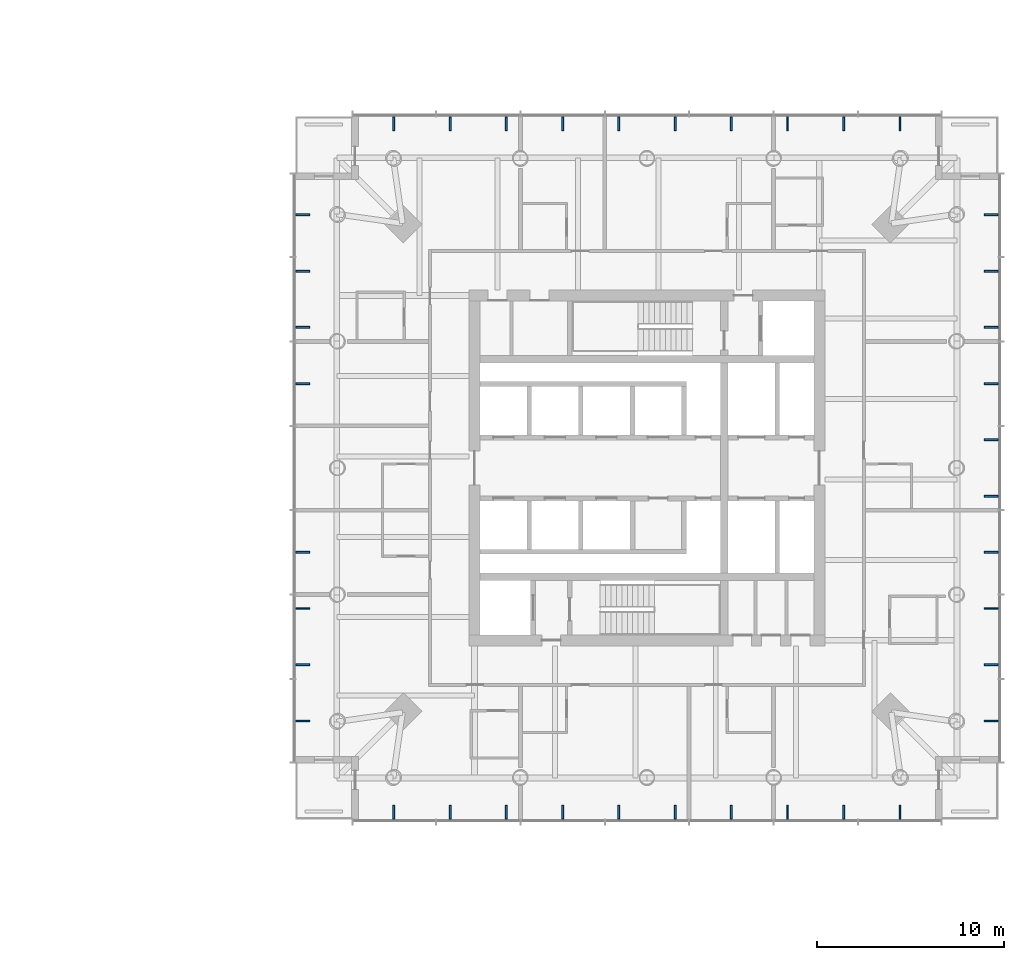
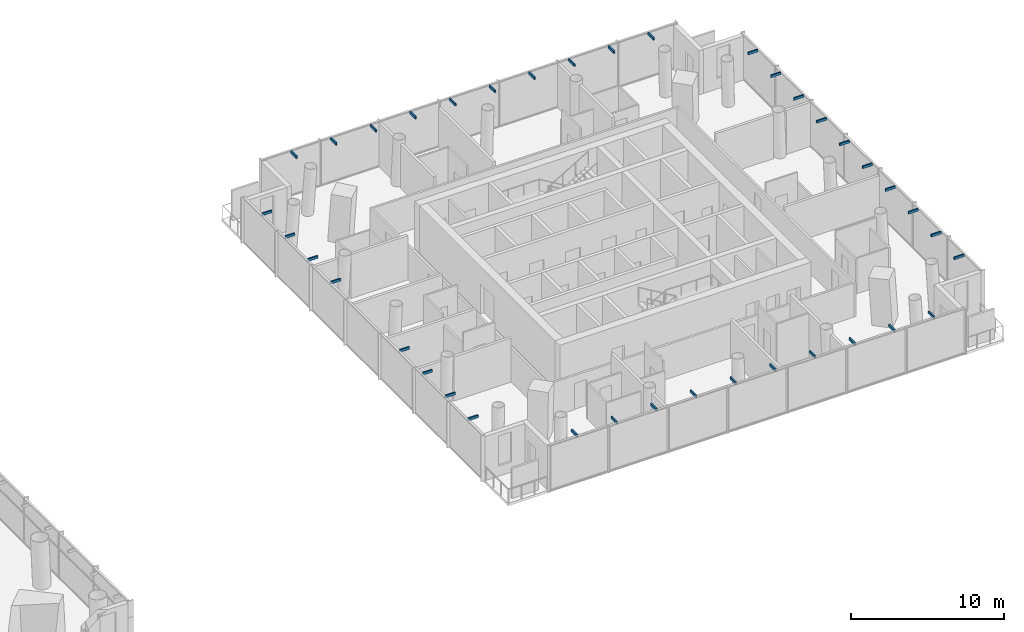
# One storey, part 22 of 24: 38 discrete accessories.
"""IFC4 building model written with IfcOpenShell, lengths in metres."""

from ifc_helpers import new_model, si_unit, direction, frame, origin, origin_2d, place, context, subcontext, project, spatial, rectangle, extrude, material, type_object, element, save


model = new_model("IFC4")

# Units and contexts
model_context = context("Model", 3, precision=1e-05, world=origin(), true_north=direction((0.0, 1.0)))
body_context = subcontext(model_context, "Body", "Model", "MODEL_VIEW")
ifc_project = project(units=[si_unit("LENGTHUNIT", "METRE"), si_unit("AREAUNIT", "SQUARE_METRE"), si_unit("VOLUMEUNIT", "CUBIC_METRE"), si_unit("PLANEANGLEUNIT", "RADIAN"), si_unit("MASSUNIT", "GRAM", prefix="KILO")], contexts=[model_context])

# Site, building, storey
site_placement = place(None, origin())
site = spatial("IfcSite", under=ifc_project, at=site_placement, CompositionType="ELEMENT")
building_placement = place(site_placement, origin())
building = spatial("IfcBuilding", under=site, at=building_placement, Name="Ostroluk Exchange", CompositionType="ELEMENT")
storey_placement = place(building_placement, frame((0.0, 0.0, 78.0)))
storey = spatial("IfcBuildingStorey", under=building, at=storey_placement, Name="L19", CompositionType="ELEMENT", Elevation=78.0)

# Discrete accessories
ifc_material = material(Name="Steel S355", Category="steel")
discrete_accessory_type = type_object("IfcDiscreteAccessoryType", Name="Maintenance roof bracket", PredefinedType="BRACKET", material=ifc_material)
for number, where, z_axis, x_axis, name in (
    (1, (103.5, 27.625, 3.4501953125), (0.0, 0.0, 1.0), (1.0, 0.0, 0.0), "Maintenance roof bracket L20 south 1"),
    (2, (106.5, 27.625, 3.4501953125), (0.0, 0.0, 1.0), (1.0, 0.0, 0.0), "Maintenance roof bracket L20 south 2"),
    (3, (109.5, 27.625, 3.4501953125), (0.0, 0.0, 1.0), (1.0, 0.0, 0.0), "Maintenance roof bracket L20 south 3"),
    (4, (112.5, 27.625, 3.4501953125), (0.0, 0.0, 1.0), (1.0, 0.0, 0.0), "Maintenance roof bracket L20 south 4"),
    (5, (115.5, 27.625, 3.4501953125), (0.0, 0.0, 1.0), (1.0, 0.0, 0.0), "Maintenance roof bracket L20 south 5"),
    (6, (118.5, 27.625, 3.4501953125), (0.0, 0.0, 1.0), (1.0, 0.0, 0.0), "Maintenance roof bracket L20 south 6"),
    (7, (121.5, 27.625, 3.4501953125), (0.0, 0.0, 1.0), (1.0, 0.0, 0.0), "Maintenance roof bracket L20 south 7"),
    (8, (124.5, 27.625, 3.4501953125), (0.0, 0.0, 1.0), (1.0, 0.0, 0.0), "Maintenance roof bracket L20 south 8"),
    (9, (127.5, 27.625, 3.4501953125), (0.0, 0.0, 1.0), (1.0, 0.0, 0.0), "Maintenance roof bracket L20 south 9"),
    (10, (130.5, 27.625, 3.4501953125), (0.0, 0.0, 1.0), (1.0, 0.0, 0.0), "Maintenance roof bracket L20 south 10"),
):
    element("IfcDiscreteAccessory", number, at=place(storey_placement, frame(where, z_axis=z_axis, x_axis=x_axis)), inside=storey, type_object=discrete_accessory_type, Name=name, PredefinedType="BRACKET", context=body_context, shape_type="SweptSolid", body=[
        extrude(rectangle(XDim=0.10009765625, YDim=0.75, at=origin_2d()), origin(), (0.0, 0.0, 1.0), 0.199951171875),
    ])
for number, where, z_axis, x_axis, name in (
    (11, (135.375, 32.5, 3.4501953125), (0.0, 0.0, 1.0), (1.0, 0.0, 0.0), "Maintenance roof bracket L20 east 1"),
    (12, (135.375, 35.5, 3.4501953125), (0.0, 0.0, 1.0), (1.0, 0.0, 0.0), "Maintenance roof bracket L20 east 2"),
    (13, (135.375, 38.5, 3.4501953125), (0.0, 0.0, 1.0), (1.0, 0.0, 0.0), "Maintenance roof bracket L20 east 3"),
    (14, (135.375, 41.5, 3.4501953125), (0.0, 0.0, 1.0), (1.0, 0.0, 0.0), "Maintenance roof bracket L20 east 4"),
    (15, (135.375, 44.5, 3.4501953125), (0.0, 0.0, 1.0), (1.0, 0.0, 0.0), "Maintenance roof bracket L20 east 5"),
    (16, (135.375, 47.5, 3.4501953125), (0.0, 0.0, 1.0), (1.0, 0.0, 0.0), "Maintenance roof bracket L20 east 6"),
    (17, (135.375, 50.5, 3.4501953125), (0.0, 0.0, 1.0), (1.0, 0.0, 0.0), "Maintenance roof bracket L20 east 7"),
    (18, (135.375, 53.5, 3.4501953125), (0.0, 0.0, 1.0), (1.0, 0.0, 0.0), "Maintenance roof bracket L20 east 8"),
    (19, (135.375, 56.5, 3.4501953125), (0.0, 0.0, 1.0), (1.0, 0.0, 0.0), "Maintenance roof bracket L20 east 9"),
    (20, (135.375, 59.5, 3.4501953125), (0.0, 0.0, 1.0), (1.0, 0.0, 0.0), "Maintenance roof bracket L20 east 10"),
):
    element("IfcDiscreteAccessory", number, at=place(storey_placement, frame(where, z_axis=z_axis, x_axis=x_axis)), inside=storey, type_object=discrete_accessory_type, Name=name, PredefinedType="BRACKET", context=body_context, shape_type="SweptSolid", body=[
        extrude(rectangle(XDim=0.75, YDim=0.10009765625, at=origin_2d()), origin(), (0.0, 0.0, 1.0), 0.199951171875),
    ])
for number, where, z_axis, x_axis, name in (
    (21, (103.5, 64.375, 3.4501953125), (0.0, 0.0, 1.0), (1.0, 0.0, 0.0), "Maintenance roof bracket L20 north 1"),
    (22, (106.5, 64.375, 3.4501953125), (0.0, 0.0, 1.0), (1.0, 0.0, 0.0), "Maintenance roof bracket L20 north 2"),
    (23, (109.5, 64.375, 3.4501953125), (0.0, 0.0, 1.0), (1.0, 0.0, 0.0), "Maintenance roof bracket L20 north 3"),
    (24, (112.5, 64.375, 3.4501953125), (0.0, 0.0, 1.0), (1.0, 0.0, 0.0), "Maintenance roof bracket L20 north 4"),
    (25, (115.5, 64.375, 3.4501953125), (0.0, 0.0, 1.0), (1.0, 0.0, 0.0), "Maintenance roof bracket L20 north 5"),
    (26, (118.5, 64.375, 3.4501953125), (0.0, 0.0, 1.0), (1.0, 0.0, 0.0), "Maintenance roof bracket L20 north 6"),
    (27, (121.5, 64.375, 3.4501953125), (0.0, 0.0, 1.0), (1.0, 0.0, 0.0), "Maintenance roof bracket L20 north 7"),
    (28, (124.5, 64.375, 3.4501953125), (0.0, 0.0, 1.0), (1.0, 0.0, 0.0), "Maintenance roof bracket L20 north 8"),
    (29, (127.5, 64.375, 3.4501953125), (0.0, 0.0, 1.0), (1.0, 0.0, 0.0), "Maintenance roof bracket L20 north 9"),
    (30, (130.5, 64.375, 3.4501953125), (0.0, 0.0, 1.0), (1.0, 0.0, 0.0), "Maintenance roof bracket L20 north 10"),
):
    element("IfcDiscreteAccessory", number, at=place(storey_placement, frame(where, z_axis=z_axis, x_axis=x_axis)), inside=storey, type_object=discrete_accessory_type, Name=name, PredefinedType="BRACKET", context=body_context, shape_type="SweptSolid", body=[
        extrude(rectangle(XDim=0.10009765625, YDim=0.75, at=origin_2d()), origin(), (0.0, 0.0, 1.0), 0.199951171875),
    ])
for number, where, z_axis, x_axis, name in (
    (31, (98.625, 32.5, 3.4501953125), (0.0, 0.0, 1.0), (1.0, 0.0, 0.0), "Maintenance roof bracket L20 west 1"),
    (32, (98.625, 35.5, 3.4501953125), (0.0, 0.0, 1.0), (1.0, 0.0, 0.0), "Maintenance roof bracket L20 west 2"),
    (33, (98.625, 38.5, 3.4501953125), (0.0, 0.0, 1.0), (1.0, 0.0, 0.0), "Maintenance roof bracket L20 west 3"),
    (34, (98.625, 41.5, 3.4501953125), (0.0, 0.0, 1.0), (1.0, 0.0, 0.0), "Maintenance roof bracket L20 west 4"),
    (35, (98.625, 50.5, 3.4501953125), (0.0, 0.0, 1.0), (1.0, 0.0, 0.0), "Maintenance roof bracket L20 west 7"),
    (36, (98.625, 53.5, 3.4501953125), (0.0, 0.0, 1.0), (1.0, 0.0, 0.0), "Maintenance roof bracket L20 west 8"),
    (37, (98.625, 56.5, 3.4501953125), (0.0, 0.0, 1.0), (1.0, 0.0, 0.0), "Maintenance roof bracket L20 west 9"),
    (38, (98.625, 59.5, 3.4501953125), (0.0, 0.0, 1.0), (1.0, 0.0, 0.0), "Maintenance roof bracket L20 west 10"),
):
    element("IfcDiscreteAccessory", number, at=place(storey_placement, frame(where, z_axis=z_axis, x_axis=x_axis)), inside=storey, type_object=discrete_accessory_type, Name=name, PredefinedType="BRACKET", context=body_context, shape_type="SweptSolid", body=[
        extrude(rectangle(XDim=0.75, YDim=0.10009765625, at=origin_2d()), origin(), (0.0, 0.0, 1.0), 0.199951171875),
    ])

save(model, "model.ifc")
